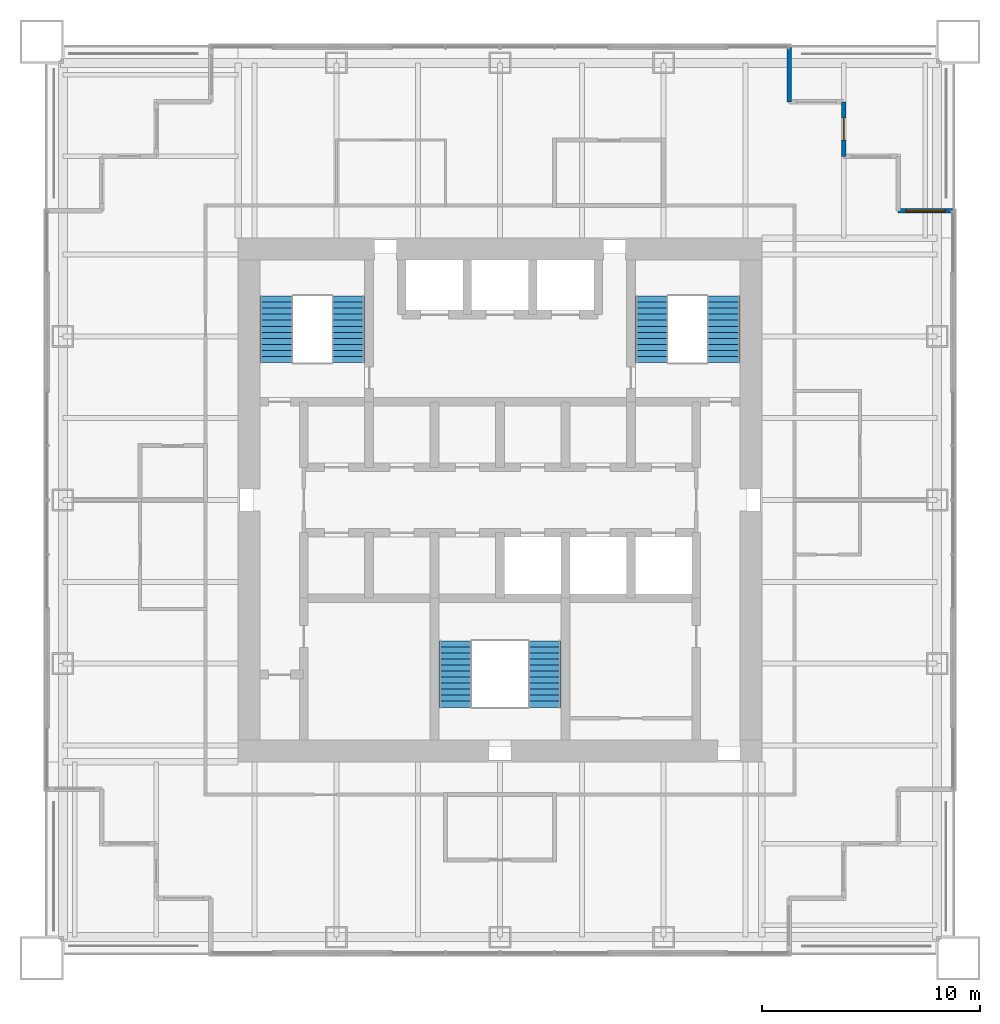
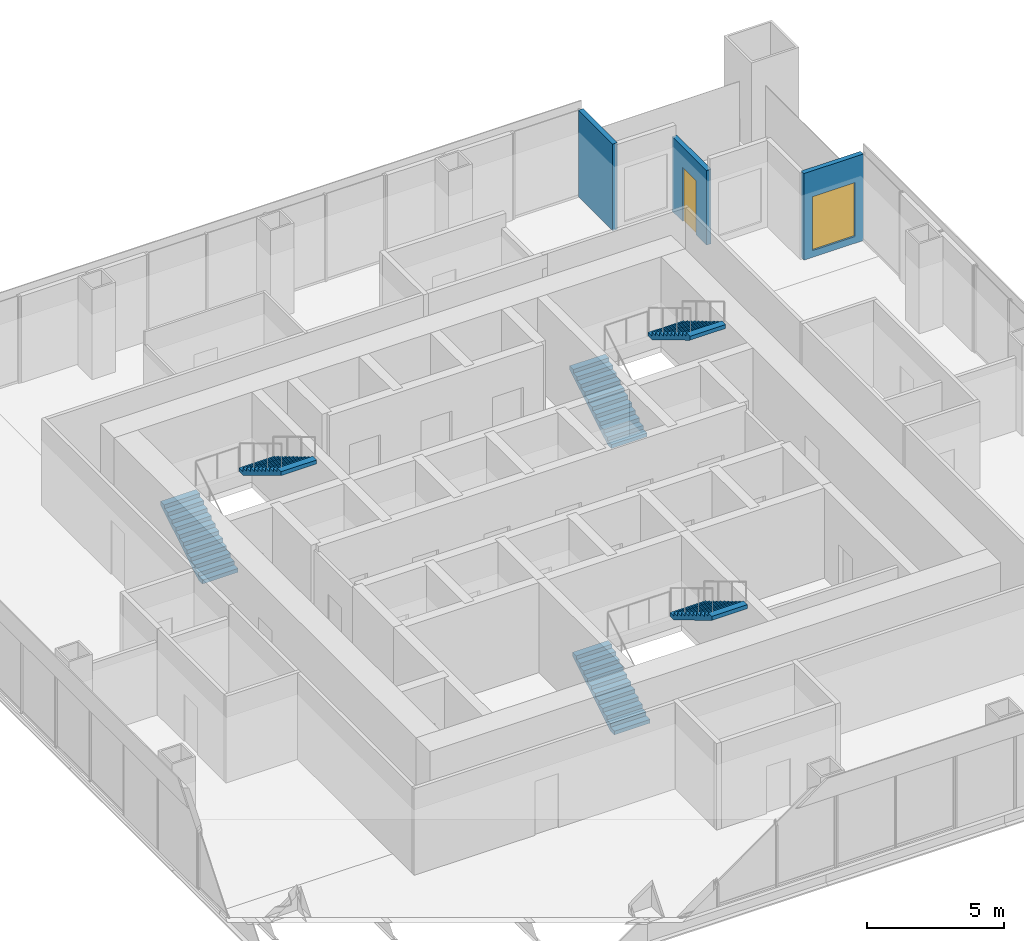
# One storey, part 12 of 14: 6 stair flights, 3 walls, 1 door, 1 window, 2 openings, 3 elements without a shape of their own.
"""IFC4 building model written with IfcOpenShell, lengths in metres."""

from ifc_helpers import new_model, si_unit, direction, frame, frame_2d, origin, place, context, subcontext, project, spatial, polyline, rectangle, outline, extrude, material, layer, layer_set, type_object, element, fill, aggregate, save


model = new_model("IFC4")

# Units and contexts
model_context = context("Model", 3, precision=1e-05, world=origin(), true_north=direction((0.0, 1.0)))
body_context = subcontext(model_context, "Body", "Model", "MODEL_VIEW")
ifc_project = project(units=[si_unit("LENGTHUNIT", "METRE"), si_unit("AREAUNIT", "SQUARE_METRE"), si_unit("VOLUMEUNIT", "CUBIC_METRE"), si_unit("PLANEANGLEUNIT", "RADIAN"), si_unit("MASSUNIT", "GRAM", prefix="KILO")], contexts=[model_context])

# Site, building, storey
site_placement = place(None, origin())
site = spatial("IfcSite", under=ifc_project, at=site_placement, CompositionType="ELEMENT")
building_placement = place(site_placement, origin())
building = spatial("IfcBuilding", under=site, at=building_placement, Name="Tarangal Relay Tower", CompositionType="ELEMENT")
storey_placement = place(building_placement, frame((0.0, 0.0, 283.89990234375)))
storey = spatial("IfcBuildingStorey", under=building, at=storey_placement, Name="L62", CompositionType="ELEMENT", Elevation=283.89990234375)

# Wall
ifc_material_1 = material(Name="Black metal clad insulated wall", Category="steel")
ifc_layer = layer(ifc_material_1, 0.199951171875)
ifc_layer_set = layer_set([ifc_layer], Name="Corner wall metal clad 200")
wall_type = type_object("IfcWallType", Name="Corner wall metal clad 200", PredefinedType="SOLIDWALL", material=ifc_layer_set)
wall_1_placement = place(storey_placement, frame((13.25, 20.75, 0.0), z_axis=(0.0, 0.0, 1.0), x_axis=(0.0, -1.0, 0.0)))
element("IfcWall", 1, at=wall_1_placement, inside=storey, type_object=wall_type, Name="Facade wall N facade L62", PredefinedType="SOLIDWALL", context=body_context, shape_type="SweptSolid", body=[
    extrude(rectangle(XDim=2.5, YDim=0.199951171875, at=frame_2d((1.25, 0.0))), origin(), (0.0, 0.0, 1.0), 3.85009765625),
])

# Wall, opening, door
wall_2_placement = place(storey_placement, frame((15.75, 18.25, 0.0), z_axis=(0.0, 0.0, 1.0), x_axis=(0.0, -1.0, 0.0)))
wall_2 = element("IfcWall", 2, at=wall_2_placement, inside=storey, type_object=wall_type, Name="Facade wall N facade L62", PredefinedType="SOLIDWALL", context=body_context, shape_type="SweptSolid", body=[
    extrude(rectangle(XDim=2.5, YDim=0.199951171875, at=frame_2d((1.25, 0.0))), origin(), (0.0, 0.0, 1.0), 3.316650390625),
])
opening_1_placement = place(wall_2_placement, frame((0.75, 0.0, 0.0)))
opening_1 = element("IfcOpeningElement", 3, at=opening_1_placement, cuts=wall_2, Name="Opening TD1", PredefinedType="OPENING", context=body_context, shape_type="SweptSolid", body=[
    extrude(rectangle(XDim=1.0, YDim=2.39990234375, at=frame_2d((0.5, 1.199951171875))), frame((0.0, 0.10986328125, 0.0), z_axis=(0.0, -1.0, 0.0), x_axis=(1.0, 0.0, 0.0)), (0.0, 0.0, 1.0), 0.219970703125),
])
ifc_material_2 = material(Name="Aluminium glazed door", Category="aluminium")
door_type = type_object("IfcDoorType", Name="Terrace door 1000 x 2400", OperationType="SINGLE_SWING_RIGHT", PredefinedType="DOOR", material=ifc_material_2)
door_placement = place(opening_1_placement, origin())
door = element("IfcDoor", 4, at=door_placement, inside=storey, type_object=door_type, Name="Terrace door TD1 NE L62", OperationType="SINGLE_SWING_RIGHT", OverallHeight=2.39990234375, OverallWidth=1.0, PredefinedType="DOOR", context=body_context, shape_type="SweptSolid", body=[
    extrude(rectangle(XDim=1.0, YDim=2.39990234375, at=frame_2d((0.5, 1.199951171875))), frame((0.0, 0.02490234375, 0.0), z_axis=(0.0, -1.0, 0.0), x_axis=(1.0, 0.0, 0.0)), (0.0, 0.0, 1.0), 0.050048828125),
])
fill(opening_1, door)

# Wall, opening, window
wall_3_placement = place(storey_placement, frame((18.25, 13.25, 0.0), z_axis=(0.0, 0.0, 1.0), x_axis=(1.0, 0.0, 0.0)))
wall_3 = element("IfcWall", 5, at=wall_3_placement, inside=storey, type_object=wall_type, Name="Facade wall N facade L62", PredefinedType="SOLIDWALL", context=body_context, shape_type="SweptSolid", body=[
    extrude(rectangle(XDim=2.5, YDim=0.199951171875, at=frame_2d((1.25, 0.0))), origin(), (0.0, 0.0, 1.0), 3.85009765625),
])
opening_2_placement = place(wall_3_placement, frame((0.35009765625, 0.0, 0.300048828125)))
opening_2 = element("IfcOpeningElement", 6, at=opening_2_placement, cuts=wall_3, Name="Opening WN2", PredefinedType="OPENING", context=body_context, shape_type="SweptSolid", body=[
    extrude(rectangle(XDim=1.800048828125, YDim=2.39990234375, at=frame_2d((0.89990234375, 1.199951171875))), frame((0.0, 0.10986328125, 0.0), z_axis=(0.0, -1.0, 0.0), x_axis=(1.0, 0.0, 0.0)), (0.0, 0.0, 1.0), 0.219970703125),
])
ifc_material_3 = material(Name="Dark tinted double glazing in black aluminium frame", Category="aluminium")
window_type = type_object("IfcWindowType", Name="Corner window 1800 x 2400", PartitioningType="SINGLE_PANEL", PredefinedType="WINDOW", material=ifc_material_3)
window_placement = place(opening_2_placement, origin())
window = element("IfcWindow", 7, at=window_placement, inside=storey, type_object=window_type, Name="Corner window WN2 N facade L62", OverallHeight=2.39990234375, OverallWidth=1.800048828125, PartitioningType="SINGLE_PANEL", PredefinedType="WINDOW", context=body_context, shape_type="SweptSolid", body=[
    extrude(rectangle(XDim=1.800048828125, YDim=2.39990234375, at=frame_2d((0.89990234375, 1.199951171875))), frame((0.0, 0.030029296875, 0.0), z_axis=(0.0, -1.0, 0.0), x_axis=(1.0, 0.0, 0.0)), (0.0, 0.0, 1.0), 0.06005859375),
])
fill(opening_2, window)

# Stair, stair flights
ifc_material_4 = material(Name="Steel ASTM A992 stair flight", Category="steel")
stair_type = type_object("IfcStairType", Name="Core stair 1500", PredefinedType="HALF_TURN_STAIR", material=ifc_material_4)
stair_1_placement = place(storey_placement, origin())
stair_1 = element("IfcStair", 8, at=stair_1_placement, inside=storey, type_object=stair_type, Name="Stair ST-A L62", PredefinedType="HALF_TURN_STAIR")
stair_flight_type = type_object("IfcStairFlightType", Name="Steel stair flight 1500, 12 risers 167 x 277", PredefinedType="STRAIGHT", material=ifc_material_4)
stair_flight_1_placement = place(storey_placement, frame((-10.25, 6.300048828125, 0.0), z_axis=(0.0, 0.0, 1.0), x_axis=(0.0, 1.0, 0.0)))
stair_flight_1 = element("IfcStairFlight", 9, at=stair_flight_1_placement, type_object=stair_flight_type, Name="ST-A flight 1", NumberOfRisers=12, NumberOfTreads=11, PredefinedType="STRAIGHT", RiserHeight=0.166666667, TreadLength=0.277, context=body_context, shape_type="SweptSolid", body=[
    extrude(outline(polyline([(0.0, 0.0), (0.0, 0.166748046875), (0.277099609375, 0.166748046875), (0.277099609375, 0.333251953125), (0.553955078125, 0.333251953125), (0.553955078125, 0.5), (0.8310546875, 0.5), (0.8310546875, 0.666748046875), (1.10791015625, 0.666748046875), (1.10791015625, 0.833251953125), (1.385009765625, 0.833251953125), (1.385009765625, 1.0), (1.662109375, 1.0), (1.662109375, 1.166748046875), (1.93896484375, 1.166748046875), (1.93896484375, 1.333251953125), (2.216064453125, 1.333251953125), (2.216064453125, 1.5), (2.492919921875, 1.5), (2.492919921875, 1.666748046875), (2.77001953125, 1.666748046875), (2.77001953125, 1.833251953125), (3.047119140625, 1.833251953125), (3.047119140625, 2.0), (3.047119140625, 1.658447265625), (0.290771484375, 0.0), (0.0, 0.0)])), frame((0.0, 0.75, 0.0), z_axis=(0.0, -1.0, 0.0), x_axis=(1.0, 0.0, 0.0)), (0.0, 0.0, 1.0), 1.5),
])
stair_flight_2_placement = place(storey_placement, frame((-6.949951171875, 9.346923828125, 2.0), z_axis=(0.0, 0.0, 1.0), x_axis=(0.0, -1.0, 0.0)))
stair_flight_2 = element("IfcStairFlight", 10, at=stair_flight_2_placement, type_object=stair_flight_type, Name="ST-A flight 2", NumberOfRisers=12, NumberOfTreads=11, PredefinedType="STRAIGHT", RiserHeight=0.166666667, TreadLength=0.277, context=body_context, shape_type="SweptSolid", body=[
    extrude(outline(polyline([(0.0, 0.0), (0.0, 0.166748046875), (0.277099609375, 0.166748046875), (0.277099609375, 0.333251953125), (0.553955078125, 0.333251953125), (0.553955078125, 0.5), (0.8310546875, 0.5), (0.8310546875, 0.666748046875), (1.10791015625, 0.666748046875), (1.10791015625, 0.833251953125), (1.385009765625, 0.833251953125), (1.385009765625, 1.0), (1.662109375, 1.0), (1.662109375, 1.166748046875), (1.93896484375, 1.166748046875), (1.93896484375, 1.333251953125), (2.216064453125, 1.333251953125), (2.216064453125, 1.5), (2.492919921875, 1.5), (2.492919921875, 1.666748046875), (2.77001953125, 1.666748046875), (2.77001953125, 1.833251953125), (3.047119140625, 1.833251953125), (3.047119140625, 2.0), (3.047119140625, 1.658447265625), (0.290771484375, 0.0), (0.0, 0.0)])), frame((0.0, 0.75, 0.0), z_axis=(0.0, -1.0, 0.0), x_axis=(1.0, 0.0, 0.0)), (0.0, 0.0, 1.0), 1.5),
])
aggregate(stair_1, [stair_flight_1, stair_flight_2])

stair_2_placement = place(storey_placement, origin())
stair_2 = element("IfcStair", 11, at=stair_2_placement, inside=storey, type_object=stair_type, Name="Stair ST-B L62", PredefinedType="HALF_TURN_STAIR")
stair_flight_3_placement = place(storey_placement, frame((6.949951171875, 6.300048828125, 0.0), z_axis=(0.0, 0.0, 1.0), x_axis=(0.0, 1.0, 0.0)))
stair_flight_3 = element("IfcStairFlight", 12, at=stair_flight_3_placement, type_object=stair_flight_type, Name="ST-B flight 1", NumberOfRisers=12, NumberOfTreads=11, PredefinedType="STRAIGHT", RiserHeight=0.166666667, TreadLength=0.277, context=body_context, shape_type="SweptSolid", body=[
    extrude(outline(polyline([(0.0, 0.0), (0.0, 0.166748046875), (0.277099609375, 0.166748046875), (0.277099609375, 0.333251953125), (0.553955078125, 0.333251953125), (0.553955078125, 0.5), (0.8310546875, 0.5), (0.8310546875, 0.666748046875), (1.10791015625, 0.666748046875), (1.10791015625, 0.833251953125), (1.385009765625, 0.833251953125), (1.385009765625, 1.0), (1.662109375, 1.0), (1.662109375, 1.166748046875), (1.93896484375, 1.166748046875), (1.93896484375, 1.333251953125), (2.216064453125, 1.333251953125), (2.216064453125, 1.5), (2.492919921875, 1.5), (2.492919921875, 1.666748046875), (2.77001953125, 1.666748046875), (2.77001953125, 1.833251953125), (3.047119140625, 1.833251953125), (3.047119140625, 2.0), (3.047119140625, 1.658447265625), (0.290771484375, 0.0), (0.0, 0.0)])), frame((0.0, 0.75, 0.0), z_axis=(0.0, -1.0, 0.0), x_axis=(1.0, 0.0, 0.0)), (0.0, 0.0, 1.0), 1.5),
])
stair_flight_4_placement = place(storey_placement, frame((10.25, 9.346923828125, 2.0), z_axis=(0.0, 0.0, 1.0), x_axis=(0.0, -1.0, 0.0)))
stair_flight_4 = element("IfcStairFlight", 13, at=stair_flight_4_placement, type_object=stair_flight_type, Name="ST-B flight 2", NumberOfRisers=12, NumberOfTreads=11, PredefinedType="STRAIGHT", RiserHeight=0.166666667, TreadLength=0.277, context=body_context, shape_type="SweptSolid", body=[
    extrude(outline(polyline([(0.0, 0.0), (0.0, 0.166748046875), (0.277099609375, 0.166748046875), (0.277099609375, 0.333251953125), (0.553955078125, 0.333251953125), (0.553955078125, 0.5), (0.8310546875, 0.5), (0.8310546875, 0.666748046875), (1.10791015625, 0.666748046875), (1.10791015625, 0.833251953125), (1.385009765625, 0.833251953125), (1.385009765625, 1.0), (1.662109375, 1.0), (1.662109375, 1.166748046875), (1.93896484375, 1.166748046875), (1.93896484375, 1.333251953125), (2.216064453125, 1.333251953125), (2.216064453125, 1.5), (2.492919921875, 1.5), (2.492919921875, 1.666748046875), (2.77001953125, 1.666748046875), (2.77001953125, 1.833251953125), (3.047119140625, 1.833251953125), (3.047119140625, 2.0), (3.047119140625, 1.658447265625), (0.290771484375, 0.0), (0.0, 0.0)])), frame((0.0, 0.75, 0.0), z_axis=(0.0, -1.0, 0.0), x_axis=(1.0, 0.0, 0.0)), (0.0, 0.0, 1.0), 1.5),
])
aggregate(stair_2, [stair_flight_3, stair_flight_4])

stair_3_placement = place(storey_placement, origin())
stair_3 = element("IfcStair", 14, at=stair_3_placement, inside=storey, type_object=stair_type, Name="Stair ST-C L62", PredefinedType="HALF_TURN_STAIR")
stair_flight_5_placement = place(storey_placement, frame((-2.050048828125, -9.5, 0.0), z_axis=(0.0, 0.0, 1.0), x_axis=(0.0, 1.0, 0.0)))
stair_flight_5 = element("IfcStairFlight", 15, at=stair_flight_5_placement, type_object=stair_flight_type, Name="ST-C flight 1", NumberOfRisers=12, NumberOfTreads=11, PredefinedType="STRAIGHT", RiserHeight=0.166666667, TreadLength=0.277, context=body_context, shape_type="SweptSolid", body=[
    extrude(outline(polyline([(0.0, 0.0), (0.0, 0.166748046875), (0.277099609375, 0.166748046875), (0.277099609375, 0.333251953125), (0.553955078125, 0.333251953125), (0.553955078125, 0.5), (0.8310546875, 0.5), (0.8310546875, 0.666748046875), (1.10791015625, 0.666748046875), (1.10791015625, 0.833251953125), (1.385009765625, 0.833251953125), (1.385009765625, 1.0), (1.662109375, 1.0), (1.662109375, 1.166748046875), (1.93896484375, 1.166748046875), (1.93896484375, 1.333251953125), (2.216064453125, 1.333251953125), (2.216064453125, 1.5), (2.492919921875, 1.5), (2.492919921875, 1.666748046875), (2.77001953125, 1.666748046875), (2.77001953125, 1.833251953125), (3.047119140625, 1.833251953125), (3.047119140625, 2.0), (3.047119140625, 1.658447265625), (0.290771484375, 0.0), (0.0, 0.0)])), frame((0.0, 0.75, 0.0), z_axis=(0.0, -1.0, 0.0), x_axis=(1.0, 0.0, 0.0)), (0.0, 0.0, 1.0), 1.5),
])
stair_flight_6_placement = place(storey_placement, frame((2.050048828125, -6.452880859375, 2.0), z_axis=(0.0, 0.0, 1.0), x_axis=(0.0, -1.0, 0.0)))
stair_flight_6 = element("IfcStairFlight", 16, at=stair_flight_6_placement, type_object=stair_flight_type, Name="ST-C flight 2", NumberOfRisers=12, NumberOfTreads=11, PredefinedType="STRAIGHT", RiserHeight=0.166666667, TreadLength=0.277, context=body_context, shape_type="SweptSolid", body=[
    extrude(outline(polyline([(0.0, 0.0), (0.0, 0.166748046875), (0.277099609375, 0.166748046875), (0.277099609375, 0.333251953125), (0.553955078125, 0.333251953125), (0.553955078125, 0.5), (0.8310546875, 0.5), (0.8310546875, 0.666748046875), (1.10791015625, 0.666748046875), (1.10791015625, 0.833251953125), (1.385009765625, 0.833251953125), (1.385009765625, 1.0), (1.662109375, 1.0), (1.662109375, 1.166748046875), (1.93896484375, 1.166748046875), (1.93896484375, 1.333251953125), (2.216064453125, 1.333251953125), (2.216064453125, 1.5), (2.492919921875, 1.5), (2.492919921875, 1.666748046875), (2.77001953125, 1.666748046875), (2.77001953125, 1.833251953125), (3.047119140625, 1.833251953125), (3.047119140625, 2.0), (3.047119140625, 1.658447265625), (0.290771484375, 0.0), (0.0, 0.0)])), frame((0.0, 0.75, 0.0), z_axis=(0.0, -1.0, 0.0), x_axis=(1.0, 0.0, 0.0)), (0.0, 0.0, 1.0), 1.5),
])
aggregate(stair_3, [stair_flight_5, stair_flight_6])

save(model, "model.ifc")
